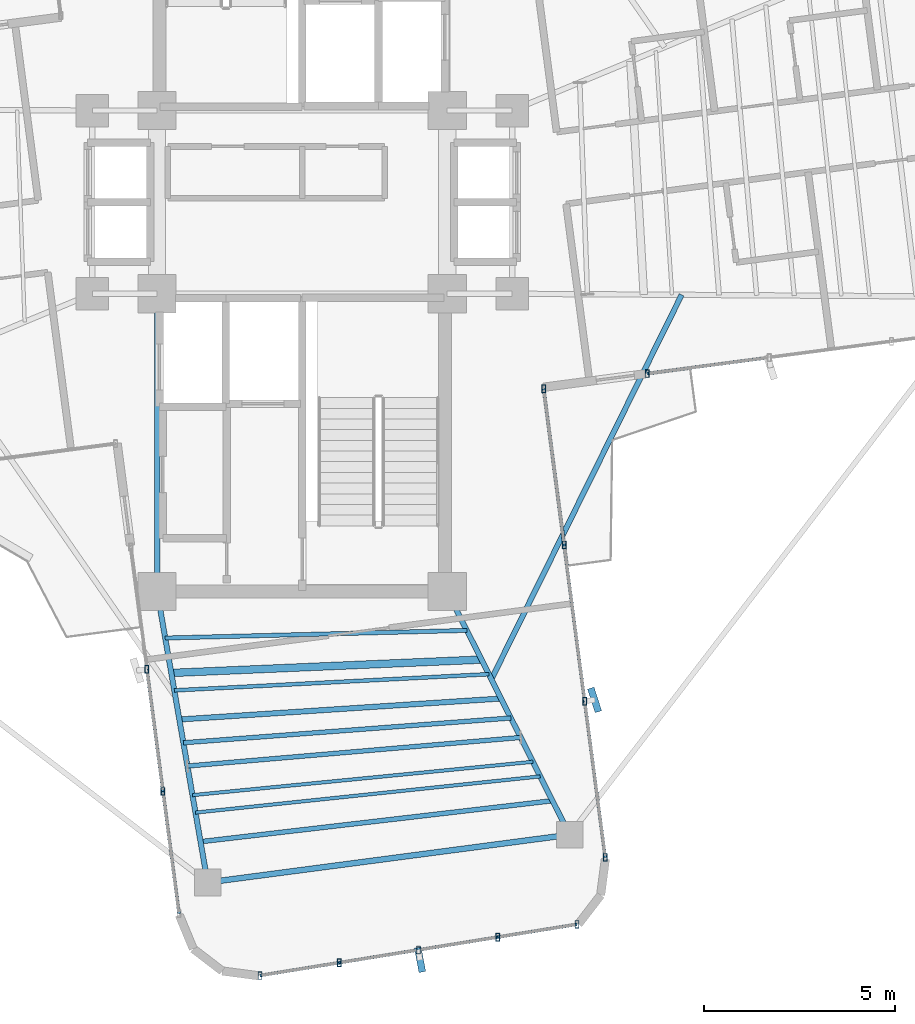
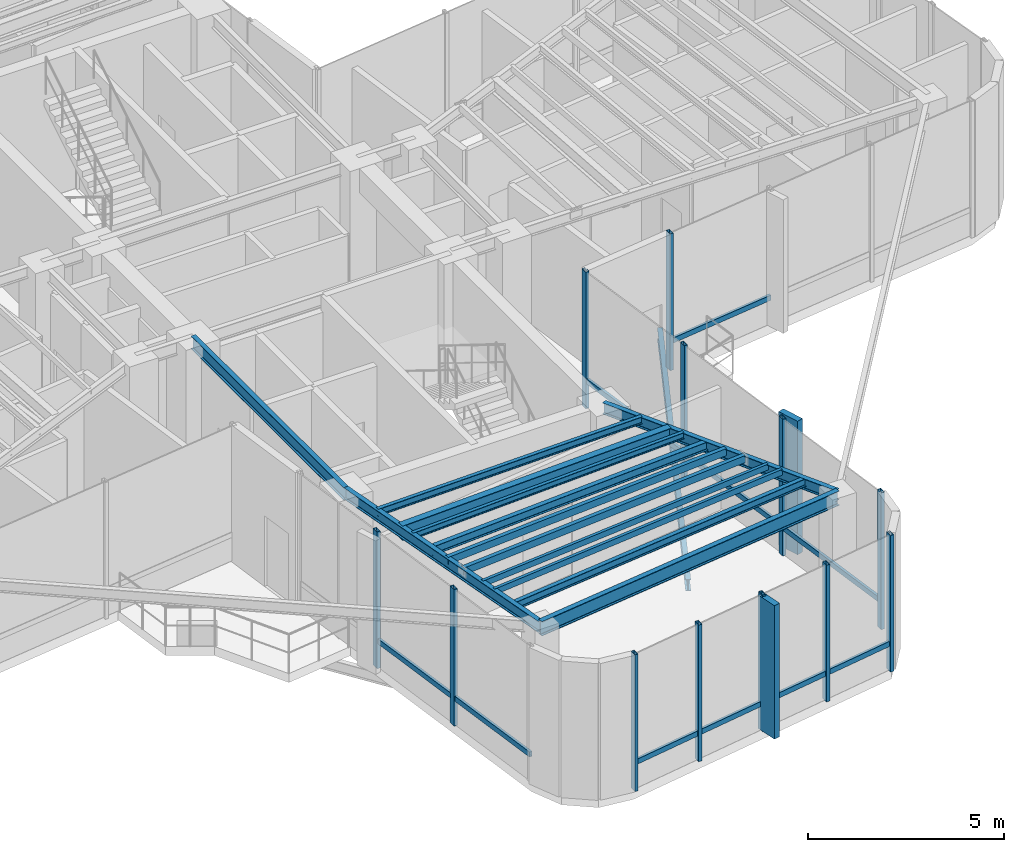
# One storey, part 3 of 20: 24 members, 14 beams, 4 elements without a shape of their own.
"""IFC4 building model written with IfcOpenShell, lengths in metres."""

from ifc_helpers import new_model, si_unit, direction, frame, origin, origin_2d, place, context, subcontext, project, spatial, rectangle, hollow_rectangle, i_section, extrude, source, transform, mapped, material, material_profile, profile_set, type_object, element, aggregate, save


model = new_model("IFC4")

# Units and contexts
model_context = context("Model", 3, precision=1e-05, world=origin(), true_north=direction((0.0, 1.0)))
body_context = subcontext(model_context, "Body", "Model", "MODEL_VIEW")
ifc_project = project(units=[si_unit("LENGTHUNIT", "METRE"), si_unit("AREAUNIT", "SQUARE_METRE"), si_unit("VOLUMEUNIT", "CUBIC_METRE"), si_unit("PLANEANGLEUNIT", "RADIAN"), si_unit("MASSUNIT", "GRAM", prefix="KILO")], contexts=[model_context])

# Site, building, storey
site_placement = place(None, origin())
site = spatial("IfcSite", under=ifc_project, at=site_placement, CompositionType="ELEMENT")
building_placement = place(site_placement, origin())
building = spatial("IfcBuilding", under=site, at=building_placement, Name="Sahyath Konkavel Grand Hotel", CompositionType="ELEMENT")
storey_placement = place(building_placement, frame((0.0, 0.0, 229.949951171875)))
storey = spatial("IfcBuildingStorey", under=building, at=storey_placement, Name="L64", CompositionType="ELEMENT", Elevation=229.949951171875)

# Beams
ifc_material_1 = material(Name="Steel E350", Category="steel")
ifc_material_profile_1 = material_profile(ifc_material_1, i_section(OverallWidth=0.139892578125, OverallDepth=0.39990234375, WebThickness=0.0087890625, FlangeThickness=0.01611328125, FilletRadius=0.013916015625, at=origin_2d()), Name="ISMB 400")
ifc_profile_set_1 = profile_set([ifc_material_profile_1], Name="Steel E350")
beam_type_1 = type_object("IfcBeamType", Name="BM-ISMB400", PredefinedType="BEAM", material=ifc_profile_set_1)
shared_shape_1 = source(origin(), body_context, "Body", "SweptSolid", [
    extrude(i_section(OverallWidth=0.139892578125, OverallDepth=0.39990234375, WebThickness=0.0087890625, FlangeThickness=0.01611328125, FilletRadius=0.013916015625, at=origin_2d()), origin(), (0.0, 0.0, 1.0), 7.800048828125),
])
beam_1_placement = place(storey_placement, frame((-3.800048828125, -10.199951171875, 4.06005859375), z_axis=(0.0, 1.0, 0.0), x_axis=(-1.0, 0.0, 0.0)))
element("IfcBeam", 1, at=beam_1_placement, inside=storey, type_object=beam_type_1, Name="str:bm:L64:SC-W", PredefinedType="BEAM", context=body_context, shape_type="MappedRepresentation", body=[
    mapped(shared_shape_1, transform((0.0, 0.0, 0.0), scale=1.0)),
])
ifc_material_profile_2 = material_profile(ifc_material_1, i_section(OverallWidth=0.139892578125, OverallDepth=0.35009765625, WebThickness=0.008056640625, FlangeThickness=0.01416015625, FilletRadius=0.013916015625, at=origin_2d()), Name="ISMB 350")
ifc_profile_set_2 = profile_set([ifc_material_profile_2], Name="Steel E350")
beam_type_2 = type_object("IfcBeamType", Name="BM-ISMB350", PredefinedType="BEAM", material=ifc_profile_set_2)
shared_shape_2 = source(origin(), body_context, "Body", "SweptSolid", [
    extrude(i_section(OverallWidth=0.139892578125, OverallDepth=0.35009765625, WebThickness=0.008056640625, FlangeThickness=0.01416015625, FilletRadius=0.013916015625, at=origin_2d()), origin(), (0.0, 0.0, 1.0), 7.73681640625),
])
beam_2_placement = place(storey_placement, frame((-3.800048828125, -10.199951171875, 4.0849609375), z_axis=(0.170904360892, -0.985287622691, 0.0), x_axis=(0.985287622691, 0.170904360892, 0.0)))
element("IfcBeam", 2, at=beam_2_placement, inside=storey, type_object=beam_type_2, Name="L64 Cruciform Radial Girder SA", PredefinedType="BEAM", context=body_context, shape_type="MappedRepresentation", body=[
    mapped(shared_shape_2, transform((0.0, 0.0, 0.0), scale=1.0)),
])
shared_shape_3 = source(origin(), body_context, "Body", "SweptSolid", [
    extrude(i_section(OverallWidth=0.139892578125, OverallDepth=0.35009765625, WebThickness=0.008056640625, FlangeThickness=0.01416015625, FilletRadius=0.013916015625, at=origin_2d()), origin(), (0.0, 0.0, 1.0), 7.13525390625),
])
beam_3_placement = place(storey_placement, frame((3.800048828125, -10.199951171875, 4.0849609375), z_axis=(0.449361080992, -0.893350221856, 0.0), x_axis=(0.893350221856, 0.449361080992, 0.0)))
element("IfcBeam", 3, at=beam_3_placement, inside=storey, type_object=beam_type_2, Name="L64 Cruciform Radial Girder SB", PredefinedType="BEAM", context=body_context, shape_type="MappedRepresentation", body=[
    mapped(shared_shape_3, transform((0.0, 0.0, 0.0), scale=1.0)),
])
ifc_material_profile_3 = material_profile(ifc_material_1, i_section(OverallWidth=0.14990234375, OverallDepth=0.449951171875, WebThickness=0.009521484375, FlangeThickness=0.017333984375, FilletRadius=0.014892578125, at=origin_2d()), Name="ISMB 450")
ifc_profile_set_3 = profile_set([ifc_material_profile_3], Name="Steel E350")
beam_type_3 = type_object("IfcBeamType", Name="BM-ISMB450", PredefinedType="BEAM", material=ifc_profile_set_3)
shared_shape_4 = source(origin(), body_context, "Body", "SweptSolid", [
    extrude(i_section(OverallWidth=0.14990234375, OverallDepth=0.449951171875, WebThickness=0.009521484375, FlangeThickness=0.017333984375, FilletRadius=0.014892578125, at=origin_2d()), origin(), (0.0, 0.0, 1.0), 9.56591796875),
])
beam_4_placement = place(storey_placement, frame((-2.477783203125, -17.822998046875, 4.03515625), z_axis=(0.991442564398, 0.130543638296, 0.0), x_axis=(-0.130543638296, 0.991442564398, 0.0)))
element("IfcBeam", 4, at=beam_4_placement, inside=storey, type_object=beam_type_3, Name="L64 Wing Tip Edge Beam S", PredefinedType="BEAM", context=body_context, shape_type="MappedRepresentation", body=[
    mapped(shared_shape_4, transform((0.0, 0.0, 0.0), scale=1.0)),
])
ifc_material_profile_4 = material_profile(ifc_material_1, i_section(OverallWidth=0.199951171875, OverallDepth=0.449951171875, WebThickness=0.00927734375, FlangeThickness=0.015380859375, FilletRadius=0.01611328125, at=origin_2d()), Name="ISWB 450")
ifc_profile_set_4 = profile_set([ifc_material_profile_4], Name="Steel E350")
beam_type_4 = type_object("IfcBeamType", Name="BM-ISWB450", PredefinedType="BEAM", material=ifc_profile_set_4)
shared_shape_5 = source(origin(), body_context, "Body", "SweptSolid", [
    extrude(i_section(OverallWidth=0.199951171875, OverallDepth=0.449951171875, WebThickness=0.00927734375, FlangeThickness=0.015380859375, FilletRadius=0.01611328125, at=origin_2d()), origin(), (0.0, 0.0, 1.0), 8.135009765625),
])
beam_5_placement = place(storey_placement, frame((-3.4296875, -12.33447265625, 4.03515625), z_axis=(0.999076097257, 0.04297617817, 0.0), x_axis=(-0.04297617817, 0.999076097257, 0.0)))
element("IfcBeam", 5, at=beam_5_placement, inside=storey, type_object=beam_type_4, Name="L64 Secondary Floor Beam S-1", PredefinedType="BEAM", context=body_context, shape_type="MappedRepresentation", body=[
    mapped(shared_shape_5, transform((0.0, 0.0, 0.0), scale=1.0)),
])
ifc_material_profile_5 = material_profile(ifc_material_1, hollow_rectangle(XDim=0.1201171875, YDim=0.219970703125, WallThickness=0.010009765625, at=origin_2d()), Name="RHS 220x120x10")
ifc_profile_set_5 = profile_set([ifc_material_profile_5], Name="Steel E350")
beam_type_5 = type_object("IfcBeamType", Name="BM-RHS220", PredefinedType="BEAM", material=ifc_profile_set_5)
shared_shape_6 = source(origin(), body_context, "Body", "SweptSolid", [
    extrude(hollow_rectangle(XDim=0.1201171875, YDim=0.219970703125, WallThickness=0.010009765625, at=origin_2d()), origin(), (0.0, 0.0, 1.0), 8.604248046875),
])
beam_6_placement = place(storey_placement, frame((-3.112548828125, -14.163818359375, 4.150146484375), z_axis=(0.997149840217, 0.075446644428, 0.0), x_axis=(-0.075446644428, 0.997149840217, 0.0)))
element("IfcBeam", 6, at=beam_6_placement, inside=storey, type_object=beam_type_5, Name="L64 Secondary Floor Beam S-2", PredefinedType="BEAM", context=body_context, shape_type="MappedRepresentation", body=[
    mapped(shared_shape_6, transform((0.0, 0.0, 0.0), scale=1.0)),
])
ifc_material_profile_6 = material_profile(ifc_material_1, hollow_rectangle(XDim=0.090087890625, YDim=0.179931640625, WallThickness=0.008056640625, at=origin_2d()), Name="RHS 180x90x8")
ifc_profile_set_6 = profile_set([ifc_material_profile_6], Name="Steel E350")
beam_type_6 = type_object("IfcBeamType", Name="BM-RHS180", PredefinedType="BEAM", material=ifc_profile_set_6)
shared_shape_7 = source(origin(), body_context, "Body", "SweptSolid", [
    extrude(hollow_rectangle(XDim=0.090087890625, YDim=0.179931640625, WallThickness=0.008056640625, at=origin_2d()), origin(), (0.0, 0.0, 1.0), 9.081787109375),
])
beam_7_placement = place(storey_placement, frame((-2.795166015625, -15.993408203125, 4.170166015625), z_axis=(0.994525614883, 0.104493068389, 0.0), x_axis=(-0.104493068389, 0.994525614883, 0.0)))
element("IfcBeam", 7, at=beam_7_placement, inside=storey, type_object=beam_type_6, Name="L64 Secondary Floor Beam S-3", PredefinedType="BEAM", context=body_context, shape_type="MappedRepresentation", body=[
    mapped(shared_shape_7, transform((0.0, 0.0, 0.0), scale=1.0)),
])
ifc_material_profile_7 = material_profile(ifc_material_1, i_section(OverallWidth=0.110107421875, OverallDepth=0.22509765625, WebThickness=0.006591796875, FlangeThickness=0.01171875, FilletRadius=0.011962890625, at=origin_2d()), Name="ISMB 225")
ifc_profile_set_7 = profile_set([ifc_material_profile_7], Name="Steel E350")
beam_type_7 = type_object("IfcBeamType", Name="BM-ISMB225", PredefinedType="BEAM", material=ifc_profile_set_7)
shared_shape_8 = source(origin(), body_context, "Body", "SweptSolid", [
    extrude(i_section(OverallWidth=0.110107421875, OverallDepth=0.22509765625, WebThickness=0.006591796875, FlangeThickness=0.01171875, FilletRadius=0.011962890625, at=origin_2d()), origin(), (0.0, 0.0, 1.0), 7.90380859375),
])
beam_8_placement = place(storey_placement, frame((-3.58837890625, -11.419677734375, 4.1474609375), z_axis=(0.999680740221, 0.02526692762, 0.0), x_axis=(-0.02526692762, 0.999680740221, 0.0)))
element("IfcBeam", 8, at=beam_8_placement, inside=storey, type_object=beam_type_7, Name="L64 Composite Deck Sub-Beam S-1", PredefinedType="BEAM", context=body_context, shape_type="MappedRepresentation", body=[
    mapped(shared_shape_8, transform((0.0, 0.0, 0.0), scale=1.0)),
])
ifc_material_profile_8 = material_profile(ifc_material_1, i_section(OverallWidth=0.10009765625, OverallDepth=0.199951171875, WebThickness=0.005615234375, FlangeThickness=0.0107421875, FilletRadius=0.010986328125, at=origin_2d()), Name="ISMB 200")
ifc_profile_set_8 = profile_set([ifc_material_profile_8], Name="Steel E350")
beam_type_8 = type_object("IfcBeamType", Name="BM-ISMB200", PredefinedType="BEAM", material=ifc_profile_set_8)
shared_shape_9 = source(origin(), body_context, "Body", "SweptSolid", [
    extrude(i_section(OverallWidth=0.10009765625, OverallDepth=0.199951171875, WebThickness=0.005615234375, FlangeThickness=0.0107421875, FilletRadius=0.010986328125, at=origin_2d()), origin(), (0.0, 0.0, 1.0), 8.251708984375),
])
beam_9_placement = place(storey_placement, frame((-3.3505859375, -12.791748046875, 4.16015625), z_axis=(0.998675490224, 0.051451581368, 0.0), x_axis=(-0.051451581368, 0.998675490224, 0.0)))
element("IfcBeam", 9, at=beam_9_placement, inside=storey, type_object=beam_type_8, Name="L64 Composite Deck Sub-Beam S-2", PredefinedType="BEAM", context=body_context, shape_type="MappedRepresentation", body=[
    mapped(shared_shape_9, transform((0.0, 0.0, 0.0), scale=1.0)),
])
ifc_material_profile_9 = material_profile(ifc_material_1, i_section(OverallWidth=0.139892578125, OverallDepth=0.27490234375, WebThickness=0.00634765625, FlangeThickness=0.0087890625, FilletRadius=0.012939453125, at=origin_2d()), Name="ISLB 275")
ifc_profile_set_9 = profile_set([ifc_material_profile_9], Name="Steel E350")
beam_type_9 = type_object("IfcBeamType", Name="BM-ISLB275", PredefinedType="BEAM", material=ifc_profile_set_9)
shared_shape_10 = source(origin(), body_context, "Body", "SweptSolid", [
    extrude(i_section(OverallWidth=0.139892578125, OverallDepth=0.27490234375, WebThickness=0.00634765625, FlangeThickness=0.0087890625, FilletRadius=0.012939453125, at=origin_2d()), origin(), (0.0, 0.0, 1.0), 8.44677734375),
])
beam_10_placement = place(storey_placement, frame((-3.21826171875, -13.55419921875, 4.12255859375), z_axis=(0.99788128913, 0.065060992957, 0.0), x_axis=(-0.065060992957, 0.99788128913, 0.0)))
element("IfcBeam", 10, at=beam_10_placement, inside=storey, type_object=beam_type_9, Name="L64 Composite Deck Sub-Beam S-3", PredefinedType="BEAM", context=body_context, shape_type="MappedRepresentation", body=[
    mapped(shared_shape_10, transform((0.0, 0.0, 0.0), scale=1.0)),
])
shared_shape_11 = source(origin(), body_context, "Body", "SweptSolid", [
    extrude(hollow_rectangle(XDim=0.1201171875, YDim=0.219970703125, WallThickness=0.010009765625, at=origin_2d()), origin(), (0.0, 0.0, 1.0), 8.762451171875),
])
beam_11_placement = place(storey_placement, frame((-3.006591796875, -14.773681640625, 4.150146484375), z_axis=(0.996339872362, 0.085480165783, 0.0), x_axis=(-0.085480165783, 0.996339872362, 0.0)))
element("IfcBeam", 11, at=beam_11_placement, inside=storey, type_object=beam_type_5, Name="L64 Composite Deck Sub-Beam S-4", PredefinedType="BEAM", context=body_context, shape_type="MappedRepresentation", body=[
    mapped(shared_shape_11, transform((0.0, 0.0, 0.0), scale=1.0)),
])
shared_shape_12 = source(origin(), body_context, "Body", "SweptSolid", [
    extrude(hollow_rectangle(XDim=0.090087890625, YDim=0.179931640625, WallThickness=0.008056640625, at=origin_2d()), origin(), (0.0, 0.0, 1.0), 8.961669921875),
])
beam_12_placement = place(storey_placement, frame((-2.87451171875, -15.535888671875, 4.170166015625), z_axis=(0.995235317854, 0.097502113287, 0.0), x_axis=(-0.097502113287, 0.995235317854, 0.0)))
element("IfcBeam", 12, at=beam_12_placement, inside=storey, type_object=beam_type_6, Name="L64 Composite Deck Sub-Beam S-5", PredefinedType="BEAM", context=body_context, shape_type="MappedRepresentation", body=[
    mapped(shared_shape_12, transform((0.0, 0.0, 0.0), scale=1.0)),
])
ifc_material_profile_10 = material_profile(ifc_material_1, i_section(OverallWidth=0.125, OverallDepth=0.25, WebThickness=0.0068359375, FlangeThickness=0.012451171875, FilletRadius=0.012939453125, at=origin_2d()), Name="ISMB 250")
ifc_profile_set_10 = profile_set([ifc_material_profile_10], Name="Steel E350")
beam_type_10 = type_object("IfcBeamType", Name="BM-ISMB250", PredefinedType="BEAM", material=ifc_profile_set_10)
shared_shape_13 = source(origin(), body_context, "Body", "SweptSolid", [
    extrude(i_section(OverallWidth=0.125, OverallDepth=0.25, WebThickness=0.0068359375, FlangeThickness=0.012451171875, FilletRadius=0.012939453125, at=origin_2d()), origin(), (0.0, 0.0, 1.0), 9.282470703125),
])
beam_13_placement = place(storey_placement, frame((-2.662841796875, -16.755615234375, 4.135009765625), z_axis=(0.993287436184, 0.115672248698, 0.0), x_axis=(-0.115672248698, 0.993287436184, 0.0)))
element("IfcBeam", 13, at=beam_13_placement, inside=storey, type_object=beam_type_10, Name="L64 Composite Deck Sub-Beam S-6", PredefinedType="BEAM", context=body_context, shape_type="MappedRepresentation", body=[
    mapped(shared_shape_13, transform((0.0, 0.0, 0.0), scale=1.0)),
])

# Curtain wall, member
ifc_material_2 = material(Name="Anodised Bronze Aluminium & Low-E Glazing", Category="aluminium")
curtain_wall_type = type_object("IfcCurtainWallType", Name="CW-SKYLOBBY", PredefinedType="NOTDEFINED", material=ifc_material_2)
curtain_wall_1_placement = place(storey_placement, origin())
curtain_wall_1 = element("IfcCurtainWall", 14, at=curtain_wall_1_placement, inside=storey, type_object=curtain_wall_type, Name="L64 Unitised Curtain Wall F0", PredefinedType="NOTDEFINED")
ifc_material_3 = material(Name="Anodised Bronze Aluminium", Category="aluminium")
ifc_material_profile_11 = material_profile(ifc_material_3, hollow_rectangle(XDim=0.10009765625, YDim=0.199951171875, WallThickness=0.008056640625, at=origin_2d()), Name="RHS 200x100x8")
ifc_profile_set_11 = profile_set([ifc_material_profile_11], Name="Anodised Bronze Aluminium")
member_type_1 = type_object("IfcMemberType", Name="CW-MUL-200", PredefinedType="MULLION", material=ifc_profile_set_11)
shared_shape_14 = source(origin(), body_context, "Body", "SweptSolid", [
    extrude(hollow_rectangle(XDim=0.10009765625, YDim=0.199951171875, WallThickness=0.008056640625, at=origin_2d()), origin(), (0.0, 0.0, 1.0), 4.260009765625),
])
member_1_placement = place(storey_placement, frame((9.03662109375, -4.491943359375, 0.0), z_axis=(0.0, 0.0, 1.0), x_axis=(1.0, 0.0, 0.0)))
member_1 = element("IfcMember", 15, at=member_1_placement, type_object=member_type_1, Name="L64 Curtain Wall Mullion F0-0", PredefinedType="MULLION", context=body_context, shape_type="MappedRepresentation", body=[
    mapped(shared_shape_14, transform((0.0, 0.0, 0.0), scale=1.0)),
])

# Curtain wall, members
curtain_wall_2_placement = place(storey_placement, origin())
curtain_wall_2 = element("IfcCurtainWall", 16, at=curtain_wall_2_placement, inside=storey, type_object=curtain_wall_type, Name="L64 Unitised Curtain Wall F24", PredefinedType="NOTDEFINED")
member_2_placement = place(storey_placement, frame((-4.070556640625, -12.237060546875, 0.0), z_axis=(0.0, 0.0, 1.0), x_axis=(1.0, 0.0, 0.0)))
member_2 = element("IfcMember", 17, at=member_2_placement, type_object=member_type_1, Name="L64 Curtain Wall Mullion F24-1", PredefinedType="MULLION", context=body_context, shape_type="MappedRepresentation", body=[
    mapped(shared_shape_14, transform((0.0, 0.0, 0.0), scale=1.0)),
])
member_3_placement = place(storey_placement, frame((-3.6494140625, -15.4375, 0.0), z_axis=(0.0, 0.0, 1.0), x_axis=(1.0, 0.0, 0.0)))
member_3 = element("IfcMember", 18, at=member_3_placement, type_object=member_type_1, Name="L64 Curtain Wall Mullion F24-2", PredefinedType="MULLION", context=body_context, shape_type="MappedRepresentation", body=[
    mapped(shared_shape_14, transform((0.0, 0.0, 0.0), scale=1.0)),
])

curtain_wall_3_placement = place(storey_placement, origin())
curtain_wall_3 = element("IfcCurtainWall", 19, at=curtain_wall_3_placement, inside=storey, type_object=curtain_wall_type, Name="L64 Unitised Curtain Wall F28", PredefinedType="NOTDEFINED")
member_4_placement = place(storey_placement, frame((-1.107421875, -20.263671875, 0.0), z_axis=(0.0, 0.0, 1.0), x_axis=(1.0, 0.0, 0.0)))
member_4 = element("IfcMember", 20, at=member_4_placement, type_object=member_type_1, Name="L64 Curtain Wall Mullion F28-0", PredefinedType="MULLION", context=body_context, shape_type="MappedRepresentation", body=[
    mapped(shared_shape_14, transform((0.0, 0.0, 0.0), scale=1.0)),
])
member_5_placement = place(storey_placement, frame((0.96923828125, -19.928466796875, 0.0), z_axis=(0.0, 0.0, 1.0), x_axis=(1.0, 0.0, 0.0)))
member_5 = element("IfcMember", 21, at=member_5_placement, type_object=member_type_1, Name="L64 Curtain Wall Mullion F28-1", PredefinedType="MULLION", context=body_context, shape_type="MappedRepresentation", body=[
    mapped(shared_shape_14, transform((0.0, 0.0, 0.0), scale=1.0)),
])
member_6_placement = place(storey_placement, frame((3.0458984375, -19.593017578125, 0.0), z_axis=(0.0, 0.0, 1.0), x_axis=(1.0, 0.0, 0.0)))
member_6 = element("IfcMember", 22, at=member_6_placement, type_object=member_type_1, Name="L64 Curtain Wall Mullion F28-2", PredefinedType="MULLION", context=body_context, shape_type="MappedRepresentation", body=[
    mapped(shared_shape_14, transform((0.0, 0.0, 0.0), scale=1.0)),
])
member_7_placement = place(storey_placement, frame((5.122802734375, -19.2578125, 0.0), z_axis=(0.0, 0.0, 1.0), x_axis=(1.0, 0.0, 0.0)))
member_7 = element("IfcMember", 23, at=member_7_placement, type_object=member_type_1, Name="L64 Curtain Wall Mullion F28-3", PredefinedType="MULLION", context=body_context, shape_type="MappedRepresentation", body=[
    mapped(shared_shape_14, transform((0.0, 0.0, 0.0), scale=1.0)),
])
member_8_placement = place(storey_placement, frame((7.199462890625, -18.922607421875, 0.0), z_axis=(0.0, 0.0, 1.0), x_axis=(1.0, 0.0, 0.0)))
member_8 = element("IfcMember", 24, at=member_8_placement, type_object=member_type_1, Name="L64 Curtain Wall Mullion F28-4", PredefinedType="MULLION", context=body_context, shape_type="MappedRepresentation", body=[
    mapped(shared_shape_14, transform((0.0, 0.0, 0.0), scale=1.0)),
])

curtain_wall_4_placement = place(storey_placement, origin())
curtain_wall_4 = element("IfcCurtainWall", 25, at=curtain_wall_4_placement, inside=storey, type_object=curtain_wall_type, Name="L64 Unitised Curtain Wall F31", PredefinedType="NOTDEFINED")
member_9_placement = place(storey_placement, frame((7.941650390625, -17.167236328125, 0.0), z_axis=(0.0, 0.0, 1.0), x_axis=(1.0, 0.0, 0.0)))
member_9 = element("IfcMember", 26, at=member_9_placement, type_object=member_type_1, Name="L64 Curtain Wall Mullion F31-0", PredefinedType="MULLION", context=body_context, shape_type="MappedRepresentation", body=[
    mapped(shared_shape_14, transform((0.0, 0.0, 0.0), scale=1.0)),
])
member_10_placement = place(storey_placement, frame((7.40283203125, -13.07470703125, 0.0), z_axis=(0.0, 0.0, 1.0), x_axis=(1.0, 0.0, 0.0)))
member_10 = element("IfcMember", 27, at=member_10_placement, type_object=member_type_1, Name="L64 Curtain Wall Mullion F31-1", PredefinedType="MULLION", context=body_context, shape_type="MappedRepresentation", body=[
    mapped(shared_shape_14, transform((0.0, 0.0, 0.0), scale=1.0)),
])
member_11_placement = place(storey_placement, frame((6.864013671875, -8.98193359375, 0.0), z_axis=(0.0, 0.0, 1.0), x_axis=(1.0, 0.0, 0.0)))
member_11 = element("IfcMember", 28, at=member_11_placement, type_object=member_type_1, Name="L64 Curtain Wall Mullion F31-2", PredefinedType="MULLION", context=body_context, shape_type="MappedRepresentation", body=[
    mapped(shared_shape_14, transform((0.0, 0.0, 0.0), scale=1.0)),
])
member_12_placement = place(storey_placement, frame((6.3251953125, -4.889404296875, 0.0), z_axis=(0.0, 0.0, 1.0), x_axis=(1.0, 0.0, 0.0)))
member_12 = element("IfcMember", 29, at=member_12_placement, type_object=member_type_1, Name="L64 Curtain Wall Mullion F31-3", PredefinedType="MULLION", context=body_context, shape_type="MappedRepresentation", body=[
    mapped(shared_shape_14, transform((0.0, 0.0, 0.0), scale=1.0)),
])

# Member
ifc_material_4 = material(Name="Warm Buff Sandstone Cladding on Concrete C50/60", Category="masonry")
ifc_material_profile_12 = material_profile(ifc_material_4, rectangle(XDim=0.179931640625, YDim=0.64990234375, at=origin_2d()), Name="FIN 180x650")
ifc_profile_set_12 = profile_set([ifc_material_profile_12], Name="Warm Buff Sandstone Cladding on Concrete C50/60")
member_type_2 = type_object("IfcMemberType", Name="FIN-SANDSTONE-650", PredefinedType="MULLION", material=ifc_profile_set_12)
shared_shape_15 = source(origin(), body_context, "Body", "SweptSolid", [
    extrude(rectangle(XDim=0.179931640625, YDim=0.64990234375, at=origin_2d()), origin(), (0.0, 0.0, 1.0), 4.159912109375),
])
member_13_placement = place(storey_placement, frame((3.08740234375, -19.849853515625, 0.050048828125), z_axis=(0.0, 0.0, 1.0), x_axis=(0.982254531559, 0.187552753198, 0.0)))
member_13 = element("IfcMember", 30, at=member_13_placement, type_object=member_type_2, Name="L64 Sandstone Vertical Solar Fin FIN F28-2", PredefinedType="MULLION", context=body_context, shape_type="MappedRepresentation", body=[
    mapped(shared_shape_15, transform((0.0, 0.0, 0.0), scale=1.0)),
])

member_14_placement = place(storey_placement, frame((7.66064453125, -13.040771484375, 0.050048828125), z_axis=(0.0, 0.0, 1.0), x_axis=(0.952022626946, 0.306027642189, 0.0)))
member_14 = element("IfcMember", 31, at=member_14_placement, type_object=member_type_2, Name="L64 Sandstone Vertical Solar Fin FIN F31-1", PredefinedType="MULLION", context=body_context, shape_type="MappedRepresentation", body=[
    mapped(shared_shape_15, transform((0.0, 0.0, 0.0), scale=1.0)),
])

ifc_material_profile_13 = material_profile(ifc_material_3, hollow_rectangle(XDim=0.080078125, YDim=0.159912109375, WallThickness=0.006103515625, at=origin_2d()), Name="RHS 160x80x6")
ifc_profile_set_13 = profile_set([ifc_material_profile_13], Name="Anodised Bronze Aluminium")
member_type_3 = type_object("IfcMemberType", Name="CW-TRN-160", PredefinedType="USERDEFINED", material=ifc_profile_set_13)
shared_shape_16 = source(origin(), body_context, "Body", "SweptSolid", [
    extrude(hollow_rectangle(XDim=0.080078125, YDim=0.159912109375, WallThickness=0.006103515625, at=origin_2d()), origin(), (0.0, 0.0, 1.0), 3.22802734375),
])
member_15_placement = place(storey_placement, frame((9.03662109375, -4.491943359375, 0.85009765625), z_axis=(0.991443222806, 0.130538637773, 0.0), x_axis=(-0.130538637773, 0.991443222806, 0.0)))
member_15 = element("IfcMember", 32, at=member_15_placement, type_object=member_type_3, Name="L64 Curtain Wall Transom F0-0-spandrel", ObjectType="TRANSOM", PredefinedType="USERDEFINED", context=body_context, shape_type="MappedRepresentation", body=[
    mapped(shared_shape_16, transform((0.0, 0.0, 0.0), scale=1.0)),
])

aggregate(curtain_wall_1, [member_1, member_15])

member_16_placement = place(storey_placement, frame((-4.070556640625, -12.237060546875, 0.85009765625), z_axis=(0.130464294716, -0.991453008369, 0.0), x_axis=(0.991453008369, 0.130464294716, 0.0)))
member_16 = element("IfcMember", 33, at=member_16_placement, type_object=member_type_3, Name="L64 Curtain Wall Transom F24-1-spandrel", ObjectType="TRANSOM", PredefinedType="USERDEFINED", context=body_context, shape_type="MappedRepresentation", body=[
    mapped(shared_shape_16, transform((0.0, 0.0, 0.0), scale=1.0)),
])

shared_shape_17 = source(origin(), body_context, "Body", "SweptSolid", [
    extrude(hollow_rectangle(XDim=0.080078125, YDim=0.159912109375, WallThickness=0.006103515625, at=origin_2d()), origin(), (0.0, 0.0, 1.0), 3.227783203125),
])
member_17_placement = place(storey_placement, frame((-3.6494140625, -15.4375, 0.85009765625), z_axis=(0.13062277299, -0.991432141488, 0.0), x_axis=(0.991432141488, 0.13062277299, 0.0)))
member_17 = element("IfcMember", 34, at=member_17_placement, type_object=member_type_3, Name="L64 Curtain Wall Transom F24-2-spandrel", ObjectType="TRANSOM", PredefinedType="USERDEFINED", context=body_context, shape_type="MappedRepresentation", body=[
    mapped(shared_shape_17, transform((0.0, 0.0, 0.0), scale=1.0)),
])

aggregate(curtain_wall_2, [member_2, member_3, member_16, member_17])

shared_shape_18 = source(origin(), body_context, "Body", "SweptSolid", [
    extrude(hollow_rectangle(XDim=0.080078125, YDim=0.159912109375, WallThickness=0.006103515625, at=origin_2d()), origin(), (0.0, 0.0, 1.0), 2.103515625),
])
member_18_placement = place(storey_placement, frame((-1.107421875, -20.263671875, 0.85009765625), z_axis=(0.987221691262, 0.159352854703, 0.0), x_axis=(-0.159352854703, 0.987221691262, 0.0)))
member_18 = element("IfcMember", 35, at=member_18_placement, type_object=member_type_3, Name="L64 Curtain Wall Transom F28-0-spandrel", ObjectType="TRANSOM", PredefinedType="USERDEFINED", context=body_context, shape_type="MappedRepresentation", body=[
    mapped(shared_shape_18, transform((0.0, 0.0, 0.0), scale=1.0)),
])

member_19_placement = place(storey_placement, frame((0.96923828125, -19.928466796875, 0.85009765625), z_axis=(0.987203426672, 0.159465966171, 0.0), x_axis=(-0.159465966171, 0.987203426672, 0.0)))
member_19 = element("IfcMember", 36, at=member_19_placement, type_object=member_type_3, Name="L64 Curtain Wall Transom F28-1-spandrel", ObjectType="TRANSOM", PredefinedType="USERDEFINED", context=body_context, shape_type="MappedRepresentation", body=[
    mapped(shared_shape_18, transform((0.0, 0.0, 0.0), scale=1.0)),
])

member_20_placement = place(storey_placement, frame((5.122802734375, -19.2578125, 0.85009765625), z_axis=(0.987221691262, 0.159352854703, 0.0), x_axis=(-0.159352854703, 0.987221691262, 0.0)))
member_20 = element("IfcMember", 37, at=member_20_placement, type_object=member_type_3, Name="L64 Curtain Wall Transom F28-3-spandrel", ObjectType="TRANSOM", PredefinedType="USERDEFINED", context=body_context, shape_type="MappedRepresentation", body=[
    mapped(shared_shape_18, transform((0.0, 0.0, 0.0), scale=1.0)),
])

shared_shape_19 = source(origin(), body_context, "Body", "SweptSolid", [
    extrude(hollow_rectangle(XDim=0.080078125, YDim=0.159912109375, WallThickness=0.006103515625, at=origin_2d()), origin(), (0.0, 0.0, 1.0), 2.103759765625),
])
member_21_placement = place(storey_placement, frame((3.0458984375, -19.593017578125, 0.85009765625), z_axis=(0.987224637951, 0.15933459832, 0.0), x_axis=(-0.15933459832, 0.987224637951, 0.0)))
member_21 = element("IfcMember", 38, at=member_21_placement, type_object=member_type_3, Name="L64 Curtain Wall Transom F28-2-spandrel", ObjectType="TRANSOM", PredefinedType="USERDEFINED", context=body_context, shape_type="MappedRepresentation", body=[
    mapped(shared_shape_19, transform((0.0, 0.0, 0.0), scale=1.0)),
])

aggregate(curtain_wall_3, [member_4, member_5, member_6, member_13, member_7, member_8, member_18, member_19, member_21, member_20])

shared_shape_20 = source(origin(), body_context, "Body", "SweptSolid", [
    extrude(hollow_rectangle(XDim=0.080078125, YDim=0.159912109375, WallThickness=0.006103515625, at=origin_2d()), origin(), (0.0, 0.0, 1.0), 4.1279296875),
])
member_22_placement = place(storey_placement, frame((7.941650390625, -17.167236328125, 0.85009765625), z_axis=(-0.1305325398, 0.991444025678, 0.0), x_axis=(-0.991444025678, -0.1305325398, 0.0)))
member_22 = element("IfcMember", 39, at=member_22_placement, type_object=member_type_3, Name="L64 Curtain Wall Transom F31-0-spandrel", ObjectType="TRANSOM", PredefinedType="USERDEFINED", context=body_context, shape_type="MappedRepresentation", body=[
    mapped(shared_shape_20, transform((0.0, 0.0, 0.0), scale=1.0)),
])

member_23_placement = place(storey_placement, frame((6.864013671875, -8.98193359375, 0.85009765625), z_axis=(-0.1305325398, 0.991444025678, 0.0), x_axis=(-0.991444025678, -0.1305325398, 0.0)))
member_23 = element("IfcMember", 40, at=member_23_placement, type_object=member_type_3, Name="L64 Curtain Wall Transom F31-2-spandrel", ObjectType="TRANSOM", PredefinedType="USERDEFINED", context=body_context, shape_type="MappedRepresentation", body=[
    mapped(shared_shape_20, transform((0.0, 0.0, 0.0), scale=1.0)),
])

shared_shape_21 = source(origin(), body_context, "Body", "SweptSolid", [
    extrude(hollow_rectangle(XDim=0.080078125, YDim=0.159912109375, WallThickness=0.006103515625, at=origin_2d()), origin(), (0.0, 0.0, 1.0), 4.128173828125),
])
member_24_placement = place(storey_placement, frame((7.40283203125, -13.07470703125, 0.85009765625), z_axis=(-0.130524885981, 0.991445033343, 0.0), x_axis=(-0.991445033343, -0.130524885981, 0.0)))
member_24 = element("IfcMember", 41, at=member_24_placement, type_object=member_type_3, Name="L64 Curtain Wall Transom F31-1-spandrel", ObjectType="TRANSOM", PredefinedType="USERDEFINED", context=body_context, shape_type="MappedRepresentation", body=[
    mapped(shared_shape_21, transform((0.0, 0.0, 0.0), scale=1.0)),
])

aggregate(curtain_wall_4, [member_9, member_10, member_14, member_11, member_12, member_22, member_24, member_23])

# Beam
ifc_material_profile_14 = material_profile(ifc_material_1, i_section(OverallWidth=0.139892578125, OverallDepth=0.35009765625, WebThickness=0.008056640625, FlangeThickness=0.01416015625, FilletRadius=0.013916015625, at=origin_2d()), Name="ISMB 350")
ifc_profile_set_14 = profile_set([ifc_material_profile_14], Name="Steel E350")
beam_type_11 = type_object("IfcBeamType", Name="BM-BALC-CANT", PredefinedType="BEAM", material=ifc_profile_set_14)
shared_shape_22 = source(origin(), body_context, "Body", "SweptSolid", [
    extrude(i_section(OverallWidth=0.139892578125, OverallDepth=0.35009765625, WebThickness=0.008056640625, FlangeThickness=0.01416015625, FilletRadius=0.013916015625, at=origin_2d()), origin(), (0.0, 0.0, 1.0), 11.23583984375),
])
beam_14_placement = place(storey_placement, frame((4.956787109375, -12.4990234375, -0.474853515625), z_axis=(0.443611715383, 0.896219083693, 0.0), x_axis=(-0.896219083693, 0.443611715383, 0.0)))
element("IfcBeam", 42, at=beam_14_placement, inside=storey, type_object=beam_type_11, Name="L64 Balcony Cantilever Support Beam SE", PredefinedType="BEAM", context=body_context, shape_type="MappedRepresentation", body=[
    mapped(shared_shape_22, transform((0.0, 0.0, 0.0), scale=1.0)),
])

save(model, "model.ifc")
